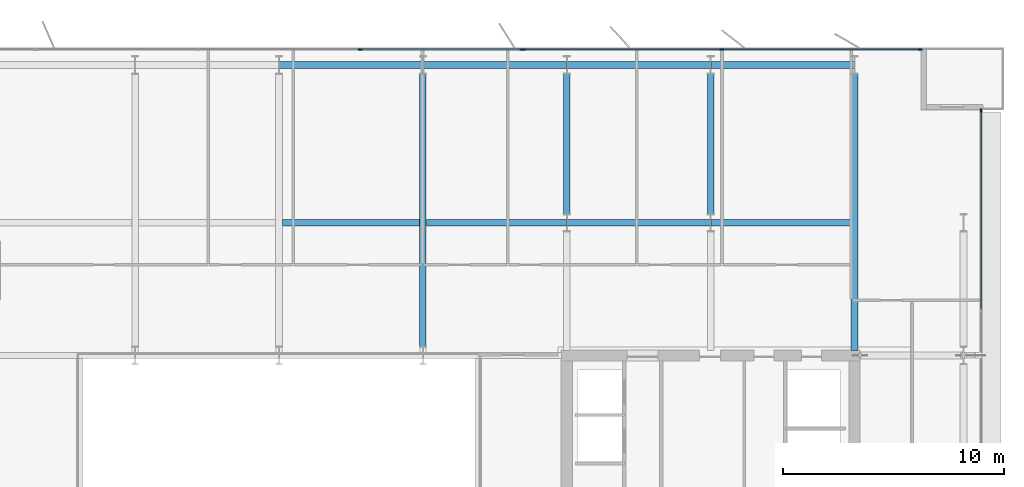
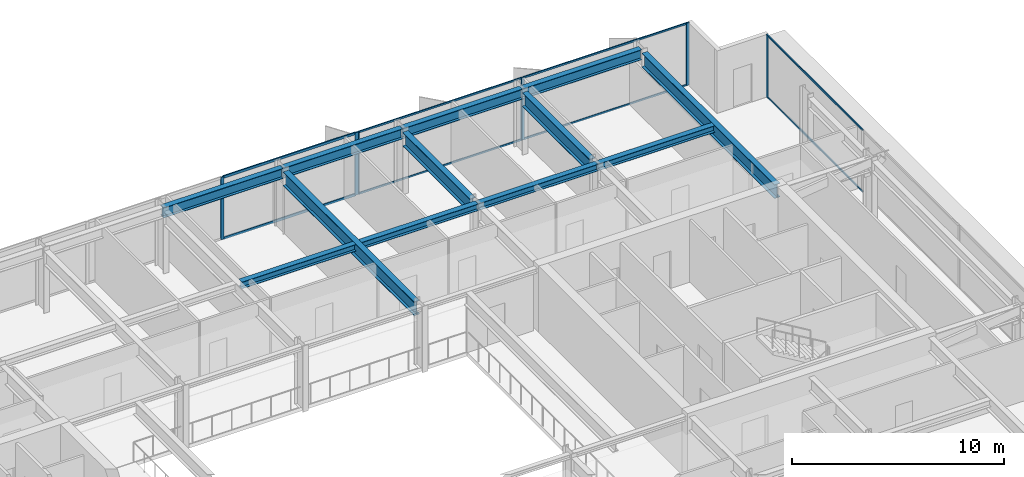
# One storey, part 8 of 19: 14 members, 12 beams, 3 elements without a shape of their own.
"""IFC4 building model written with IfcOpenShell, lengths in metres."""

from ifc_helpers import new_model, si_unit, direction, frame, origin, origin_2d, place, context, subcontext, project, spatial, rectangle, i_section, extrude, material, layer, layer_set, material_profile, profile_set, type_object, element, aggregate, save


model = new_model("IFC4")

# Units and contexts
model_context = context("Model", 3, precision=1e-05, world=origin(), true_north=direction((0.0, 1.0)))
body_context = subcontext(model_context, "Body", "Model", "MODEL_VIEW")
ifc_project = project(units=[si_unit("LENGTHUNIT", "METRE"), si_unit("AREAUNIT", "SQUARE_METRE"), si_unit("VOLUMEUNIT", "CUBIC_METRE"), si_unit("PLANEANGLEUNIT", "RADIAN"), si_unit("MASSUNIT", "GRAM", prefix="KILO")], contexts=[model_context])

# Site, building, storey
site_placement = place(None, origin())
site = spatial("IfcSite", under=ifc_project, at=site_placement, CompositionType="ELEMENT")
building_placement = place(site_placement, origin())
building = spatial("IfcBuilding", under=site, at=building_placement, Name="Putna Gate Headquarters", CompositionType="ELEMENT")
storey_placement = place(building_placement, frame((0.0, 0.0, 255.60009765625)))
storey = spatial("IfcBuildingStorey", under=building, at=storey_placement, Name="L64", CompositionType="ELEMENT", Elevation=255.60009765625)

# Beams
ifc_material_1 = material(Name="Steel S355J2", Category="steel")
ifc_material_profile_1 = material_profile(ifc_material_1, i_section(OverallWidth=0.300048828125, OverallDepth=0.800048828125, WebThickness=0.017578125, FlangeThickness=0.032958984375, at=origin_2d()), Name="Steel S355J2")
ifc_profile_set_1 = profile_set([ifc_material_profile_1], Name="Steel S355J2")
beam_type_1 = type_object("IfcBeamType", Name="BM-GIRD-P-HEB800", PredefinedType="USERDEFINED", material=ifc_profile_set_1)
beam_1_placement = place(storey_placement, frame((45.5, 33.39501953125, 3.18798828125), z_axis=(0.0, 1.0, 0.0), x_axis=(-1.0, 0.0, 0.0)))
element("IfcBeam", 1, at=beam_1_placement, inside=storey, type_object=beam_type_1, Name="L64 North Primary Girder X45", ObjectType="GIRDER", PredefinedType="USERDEFINED", context=body_context, shape_type="SweptSolid", body=[
    extrude(i_section(OverallWidth=0.300048828125, OverallDepth=0.800048828125, WebThickness=0.017578125, FlangeThickness=0.032958984375, at=origin_2d()), origin(), (0.0, 0.0, 1.0), 12.330078125),
])
for number, where, z_axis, x_axis, name in (
    (2, (52.0, 39.39501953125, 3.18798828125), (0.0, 1.0, 0.0), (-1.0, 0.0, 0.0), "L64 North Primary Girder X52-2"),
    (3, (58.5, 39.39501953125, 3.18798828125), (0.0, 1.0, 0.0), (-1.0, 0.0, 0.0), "L64 North Primary Girder X58-2"),
):
    element("IfcBeam", number, at=place(storey_placement, frame(where, z_axis=z_axis, x_axis=x_axis)), inside=storey, type_object=beam_type_1, Name=name, ObjectType="GIRDER", PredefinedType="USERDEFINED", context=body_context, shape_type="SweptSolid", body=[
        extrude(i_section(OverallWidth=0.300048828125, OverallDepth=0.800048828125, WebThickness=0.017578125, FlangeThickness=0.032958984375, at=origin_2d()), origin(), (0.0, 0.0, 1.0), 6.330078125),
    ])
beam_2_placement = place(storey_placement, frame((65.0, 33.235107421875, 3.18798828125), z_axis=(0.0, 1.0, 0.0), x_axis=(-1.0, 0.0, 0.0)))
element("IfcBeam", 4, at=beam_2_placement, inside=storey, type_object=beam_type_1, Name="L64 North Primary Girder X65", ObjectType="GIRDER", PredefinedType="USERDEFINED", context=body_context, shape_type="SweptSolid", body=[
    extrude(i_section(OverallWidth=0.300048828125, OverallDepth=0.800048828125, WebThickness=0.017578125, FlangeThickness=0.032958984375, at=origin_2d()), origin(), (0.0, 0.0, 1.0), 12.489990234375),
])
ifc_material_profile_2 = material_profile(ifc_material_1, i_section(OverallWidth=0.300048828125, OverallDepth=0.389892578125, WebThickness=0.010986328125, FlangeThickness=0.01904296875, at=origin_2d()), Name="Steel S355J2")
ifc_profile_set_2 = profile_set([ifc_material_profile_2], Name="Steel S355J2")
beam_type_2 = type_object("IfcBeamType", Name="BM-SEC-Z5-HEA400", PredefinedType="BEAM", material=ifc_profile_set_2)
beam_3_placement = place(storey_placement, frame((39.154052734375, 39.0, 3.392822265625), z_axis=(1.0, 0.0, 0.0), x_axis=(0.0, 1.0, 0.0)))
element("IfcBeam", 5, at=beam_3_placement, inside=storey, type_object=beam_type_2, Name="L64 North Secondary Beam 5", PredefinedType="BEAM", context=body_context, shape_type="SweptSolid", body=[
    extrude(i_section(OverallWidth=0.300048828125, OverallDepth=0.389892578125, WebThickness=0.010986328125, FlangeThickness=0.01904296875, at=origin_2d()), origin(), (0.0, 0.0, 1.0), 6.19189453125),
])
beam_4_placement = place(storey_placement, frame((45.654052734375, 39.0, 3.392822265625), z_axis=(1.0, 0.0, 0.0), x_axis=(0.0, 1.0, 0.0)))
element("IfcBeam", 6, at=beam_4_placement, inside=storey, type_object=beam_type_2, Name="L64 North Secondary Beam 6", PredefinedType="BEAM", context=body_context, shape_type="SweptSolid", body=[
    extrude(i_section(OverallWidth=0.300048828125, OverallDepth=0.389892578125, WebThickness=0.010986328125, FlangeThickness=0.01904296875, at=origin_2d()), origin(), (0.0, 0.0, 1.0), 6.33984375),
])
beam_5_placement = place(storey_placement, frame((52.006103515625, 39.0, 3.392822265625), z_axis=(1.0, 0.0, 0.0), x_axis=(0.0, 1.0, 0.0)))
element("IfcBeam", 7, at=beam_5_placement, inside=storey, type_object=beam_type_2, Name="L64 North Secondary Beam 7", PredefinedType="BEAM", context=body_context, shape_type="SweptSolid", body=[
    extrude(i_section(OverallWidth=0.300048828125, OverallDepth=0.389892578125, WebThickness=0.010986328125, FlangeThickness=0.01904296875, at=origin_2d()), origin(), (0.0, 0.0, 1.0), 6.48779296875),
])
beam_6_placement = place(storey_placement, frame((58.506103515625, 39.0, 3.392822265625), z_axis=(1.0, 0.0, 0.0), x_axis=(0.0, 1.0, 0.0)))
element("IfcBeam", 8, at=beam_6_placement, inside=storey, type_object=beam_type_2, Name="L64 North Secondary Beam 8", PredefinedType="BEAM", context=body_context, shape_type="SweptSolid", body=[
    extrude(i_section(OverallWidth=0.300048828125, OverallDepth=0.389892578125, WebThickness=0.010986328125, FlangeThickness=0.01904296875, at=origin_2d()), origin(), (0.0, 0.0, 1.0), 6.33984375),
])
ifc_material_profile_3 = material_profile(ifc_material_1, i_section(OverallWidth=0.300048828125, OverallDepth=0.590087890625, WebThickness=0.012939453125, FlangeThickness=0.02490234375, at=origin_2d()), Name="Steel S355J2")
ifc_profile_set_3 = profile_set([ifc_material_profile_3], Name="Steel S355J2")
beam_type_3 = type_object("IfcBeamType", Name="BM-SPAN-Z4-HEA600", PredefinedType="SPANDREL", material=ifc_profile_set_3)
for number, where, z_axis, x_axis, name in (
    (9, (39.006103515625, 46.1201171875, 3.29296875), (1.0, 0.0, 0.0), (0.0, 1.0, 0.0), "L64 N Perimeter Spandrel 5"),
    (10, (45.506103515625, 46.1201171875, 3.29296875), (1.0, 0.0, 0.0), (0.0, 1.0, 0.0), "L64 N Perimeter Spandrel 6"),
    (11, (52.006103515625, 46.1201171875, 3.29296875), (1.0, 0.0, 0.0), (0.0, 1.0, 0.0), "L64 N Perimeter Spandrel 7"),
    (12, (58.506103515625, 46.1201171875, 3.29296875), (1.0, 0.0, 0.0), (0.0, 1.0, 0.0), "L64 N Perimeter Spandrel 8"),
):
    element("IfcBeam", number, at=place(storey_placement, frame(where, z_axis=z_axis, x_axis=x_axis)), inside=storey, type_object=beam_type_3, Name=name, PredefinedType="SPANDREL", context=body_context, shape_type="SweptSolid", body=[
        extrude(i_section(OverallWidth=0.300048828125, OverallDepth=0.590087890625, WebThickness=0.012939453125, FlangeThickness=0.02490234375, at=origin_2d()), origin(), (0.0, 0.0, 1.0), 6.48779296875),
    ])

# Curtain wall, members
ifc_material_2 = material(Name="Anodised bronze aluminium curtain wall", Category="aluminium")
ifc_layer_1 = layer(ifc_material_2, 0.179931640625)
ifc_layer_set_1 = layer_set([ifc_layer_1], Name="Anodised bronze aluminium curtain wall")
curtain_wall_type_1 = type_object("IfcCurtainWallType", Name="CW-SYS-Z5", PredefinedType="USERDEFINED", material=ifc_layer_set_1)
curtain_wall_1_placement = place(storey_placement, origin())
curtain_wall_1 = element("IfcCurtainWall", 13, at=curtain_wall_1_placement, inside=storey, type_object=curtain_wall_type_1, Name="L64 North East Curtain Wall", ObjectType="STICK CURTAIN WALL", PredefinedType="USERDEFINED")
ifc_material_3 = material(Name="Anodised bronze aluminium EN AW-6060", Category="aluminium")
ifc_material_profile_4 = material_profile(ifc_material_3, rectangle(XDim=0.070068359375, YDim=0.179931640625, at=origin_2d()), Name="Anodised bronze aluminium EN AW-6060")
ifc_profile_set_4 = profile_set([ifc_material_profile_4], Name="Anodised bronze aluminium EN AW-6060")
member_type_1 = type_object("IfcMemberType", Name="MULL-CWM-5", PredefinedType="MULLION", material=ifc_profile_set_4)
member_1_placement = place(storey_placement, frame((50.034912109375, 46.820068359375, 0.0), z_axis=(0.0, 0.0, 1.0), x_axis=(0.0, 1.0, 0.0)))
member_1 = element("IfcMember", 14, at=member_1_placement, type_object=member_type_1, Name="CWS-5 mullion 1", PredefinedType="MULLION", context=body_context, shape_type="SweptSolid", body=[
    extrude(rectangle(XDim=0.070068359375, YDim=0.179931640625, at=origin_2d()), origin(), (0.0, 0.0, 1.0), 3.587890625),
])
member_2_placement = place(storey_placement, frame((59.0, 46.820068359375, 0.0), z_axis=(0.0, 0.0, 1.0), x_axis=(0.0, 1.0, 0.0)))
member_2 = element("IfcMember", 15, at=member_2_placement, type_object=member_type_1, Name="CWS-5 mullion 2", PredefinedType="MULLION", context=body_context, shape_type="SweptSolid", body=[
    extrude(rectangle(XDim=0.070068359375, YDim=0.179931640625, at=origin_2d()), origin(), (0.0, 0.0, 1.0), 3.587890625),
])
member_3_placement = place(storey_placement, frame((67.965087890625, 46.820068359375, 0.0), z_axis=(0.0, 0.0, 1.0), x_axis=(0.0, 1.0, 0.0)))
member_3 = element("IfcMember", 16, at=member_3_placement, type_object=member_type_1, Name="CWS-5 mullion 3", PredefinedType="MULLION", context=body_context, shape_type="SweptSolid", body=[
    extrude(rectangle(XDim=0.070068359375, YDim=0.179931640625, at=origin_2d()), origin(), (0.0, 0.0, 1.0), 3.587890625),
])

# Curtain wall, member
curtain_wall_2_placement = place(storey_placement, origin())
curtain_wall_2 = element("IfcCurtainWall", 17, at=curtain_wall_2_placement, inside=storey, type_object=curtain_wall_type_1, Name="L64 East Curtain Wall", ObjectType="STICK CURTAIN WALL", PredefinedType="USERDEFINED")
member_4_placement = place(storey_placement, frame((70.719970703125, 44.06494140625, 0.0), z_axis=(0.0, 0.0, 1.0), x_axis=(-1.0, 0.0, 0.0)))
member_4 = element("IfcMember", 18, at=member_4_placement, type_object=member_type_1, Name="CWS-5 mullion 5", PredefinedType="MULLION", context=body_context, shape_type="SweptSolid", body=[
    extrude(rectangle(XDim=0.070068359375, YDim=0.179931640625, at=origin_2d()), origin(), (0.0, 0.0, 1.0), 3.587890625),
])

# Curtain wall, members
ifc_layer_2 = layer(ifc_material_2, 0.179931640625)
ifc_layer_set_2 = layer_set([ifc_layer_2], Name="Anodised bronze aluminium curtain wall")
curtain_wall_type_2 = type_object("IfcCurtainWallType", Name="CW-SYS-ATR", PredefinedType="USERDEFINED", material=ifc_layer_set_2)
curtain_wall_3_placement = place(storey_placement, origin())
curtain_wall_3 = element("IfcCurtainWall", 19, at=curtain_wall_3_placement, inside=storey, type_object=curtain_wall_type_2, Name="L64 North Atrium Clear Glazing", ObjectType="ATRIUM GLAZING", PredefinedType="USERDEFINED")
ifc_material_profile_5 = material_profile(ifc_material_3, rectangle(XDim=0.070068359375, YDim=0.179931640625, at=origin_2d()), Name="Anodised bronze aluminium EN AW-6060")
ifc_profile_set_5 = profile_set([ifc_material_profile_5], Name="Anodised bronze aluminium EN AW-6060")
member_type_2 = type_object("IfcMemberType", Name="MULL-CWM-AT", PredefinedType="MULLION", material=ifc_profile_set_5)
member_5_placement = place(storey_placement, frame((42.666748046875, 46.820068359375, 0.0), z_axis=(0.0, 0.0, 1.0), x_axis=(0.0, 1.0, 0.0)))
member_5 = element("IfcMember", 20, at=member_5_placement, type_object=member_type_2, Name="CWS-AT mullion 3", PredefinedType="MULLION", context=body_context, shape_type="SweptSolid", body=[
    extrude(rectangle(XDim=0.070068359375, YDim=0.179931640625, at=origin_2d()), origin(), (0.0, 0.0, 1.0), 3.587890625),
])
member_6_placement = place(storey_placement, frame((49.965087890625, 46.820068359375, 0.0), z_axis=(0.0, 0.0, 1.0), x_axis=(0.0, 1.0, 0.0)))
member_6 = element("IfcMember", 21, at=member_6_placement, type_object=member_type_2, Name="CWS-AT mullion 4", PredefinedType="MULLION", context=body_context, shape_type="SweptSolid", body=[
    extrude(rectangle(XDim=0.070068359375, YDim=0.179931640625, at=origin_2d()), origin(), (0.0, 0.0, 1.0), 3.587890625),
])

# Member
ifc_material_profile_6 = material_profile(ifc_material_3, rectangle(XDim=0.06005859375, YDim=0.10009765625, at=origin_2d()), Name="Anodised bronze aluminium EN AW-6060")
ifc_profile_set_6 = profile_set([ifc_material_profile_6], Name="Anodised bronze aluminium EN AW-6060")
member_type_3 = type_object("IfcMemberType", Name="TRAN-CWT-5", PredefinedType="USERDEFINED", material=ifc_profile_set_6)
member_7_placement = place(storey_placement, frame((50.070068359375, 46.820068359375, 0.02978515625), z_axis=(1.0, 0.0, 0.0), x_axis=(0.0, 1.0, 0.0)))
member_7 = element("IfcMember", 22, at=member_7_placement, type_object=member_type_3, Name="CWS-5 transom 1.1", ObjectType="TRANSOM", PredefinedType="USERDEFINED", context=body_context, shape_type="SweptSolid", body=[
    extrude(rectangle(XDim=0.06005859375, YDim=0.10009765625, at=origin_2d()), origin(), (0.0, 0.0, 1.0), 8.89501953125),
])

member_8_placement = place(storey_placement, frame((50.070068359375, 46.820068359375, 3.557861328125), z_axis=(1.0, 0.0, 0.0), x_axis=(0.0, 1.0, 0.0)))
member_8 = element("IfcMember", 23, at=member_8_placement, type_object=member_type_3, Name="CWS-5 transom 1.2", ObjectType="TRANSOM", PredefinedType="USERDEFINED", context=body_context, shape_type="SweptSolid", body=[
    extrude(rectangle(XDim=0.06005859375, YDim=0.10009765625, at=origin_2d()), origin(), (0.0, 0.0, 1.0), 8.89501953125),
])

member_9_placement = place(storey_placement, frame((59.034912109375, 46.820068359375, 0.02978515625), z_axis=(1.0, 0.0, 0.0), x_axis=(0.0, 1.0, 0.0)))
member_9 = element("IfcMember", 24, at=member_9_placement, type_object=member_type_3, Name="CWS-5 transom 2.1", ObjectType="TRANSOM", PredefinedType="USERDEFINED", context=body_context, shape_type="SweptSolid", body=[
    extrude(rectangle(XDim=0.06005859375, YDim=0.10009765625, at=origin_2d()), origin(), (0.0, 0.0, 1.0), 8.89501953125),
])

member_10_placement = place(storey_placement, frame((59.034912109375, 46.820068359375, 3.557861328125), z_axis=(1.0, 0.0, 0.0), x_axis=(0.0, 1.0, 0.0)))
member_10 = element("IfcMember", 25, at=member_10_placement, type_object=member_type_3, Name="CWS-5 transom 2.2", ObjectType="TRANSOM", PredefinedType="USERDEFINED", context=body_context, shape_type="SweptSolid", body=[
    extrude(rectangle(XDim=0.06005859375, YDim=0.10009765625, at=origin_2d()), origin(), (0.0, 0.0, 1.0), 8.89501953125),
])

aggregate(curtain_wall_1, [member_1, member_2, member_3, member_7, member_8, member_9, member_10])

member_11_placement = place(storey_placement, frame((70.719970703125, 35.0849609375, 0.02978515625), z_axis=(0.0, 1.0, 0.0), x_axis=(-1.0, 0.0, 0.0)))
member_11 = element("IfcMember", 26, at=member_11_placement, type_object=member_type_3, Name="CWS-5 transom 4.1", ObjectType="TRANSOM", PredefinedType="USERDEFINED", context=body_context, shape_type="SweptSolid", body=[
    extrude(rectangle(XDim=0.06005859375, YDim=0.10009765625, at=origin_2d()), origin(), (0.0, 0.0, 1.0), 8.945068359375),
])

member_12_placement = place(storey_placement, frame((70.719970703125, 35.0849609375, 3.557861328125), z_axis=(0.0, 1.0, 0.0), x_axis=(-1.0, 0.0, 0.0)))
member_12 = element("IfcMember", 27, at=member_12_placement, type_object=member_type_3, Name="CWS-5 transom 4.2", ObjectType="TRANSOM", PredefinedType="USERDEFINED", context=body_context, shape_type="SweptSolid", body=[
    extrude(rectangle(XDim=0.06005859375, YDim=0.10009765625, at=origin_2d()), origin(), (0.0, 0.0, 1.0), 8.945068359375),
])

aggregate(curtain_wall_2, [member_4, member_11, member_12])

ifc_material_profile_7 = material_profile(ifc_material_3, rectangle(XDim=0.070068359375, YDim=0.139892578125, at=origin_2d()), Name="Anodised bronze aluminium EN AW-6060")
ifc_profile_set_7 = profile_set([ifc_material_profile_7], Name="Anodised bronze aluminium EN AW-6060")
member_type_4 = type_object("IfcMemberType", Name="TRAN-CWT-AT", PredefinedType="USERDEFINED", material=ifc_profile_set_7)
member_13_placement = place(storey_placement, frame((42.70166015625, 46.820068359375, 0.034912109375), z_axis=(1.0, 0.0, 0.0), x_axis=(0.0, 1.0, 0.0)))
member_13 = element("IfcMember", 28, at=member_13_placement, type_object=member_type_4, Name="CWS-AT transom 3.1", ObjectType="TRANSOM", PredefinedType="USERDEFINED", context=body_context, shape_type="SweptSolid", body=[
    extrude(rectangle(XDim=0.070068359375, YDim=0.139892578125, at=origin_2d()), origin(), (0.0, 0.0, 1.0), 7.228271484375),
])

member_14_placement = place(storey_placement, frame((42.70166015625, 46.820068359375, 3.552978515625), z_axis=(1.0, 0.0, 0.0), x_axis=(0.0, 1.0, 0.0)))
member_14 = element("IfcMember", 29, at=member_14_placement, type_object=member_type_4, Name="CWS-AT transom 3.2", ObjectType="TRANSOM", PredefinedType="USERDEFINED", context=body_context, shape_type="SweptSolid", body=[
    extrude(rectangle(XDim=0.070068359375, YDim=0.139892578125, at=origin_2d()), origin(), (0.0, 0.0, 1.0), 7.228271484375),
])

aggregate(curtain_wall_3, [member_5, member_6, member_13, member_14])

save(model, "model.ifc")
